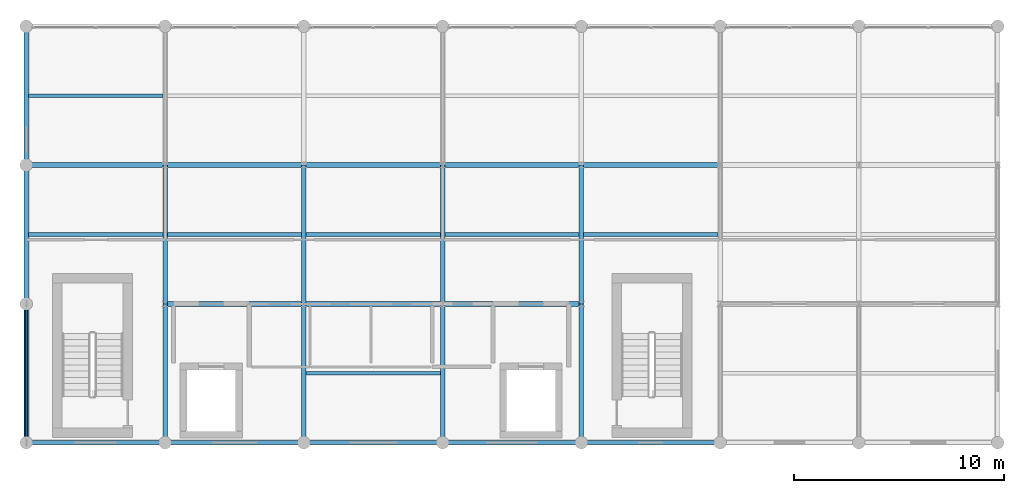
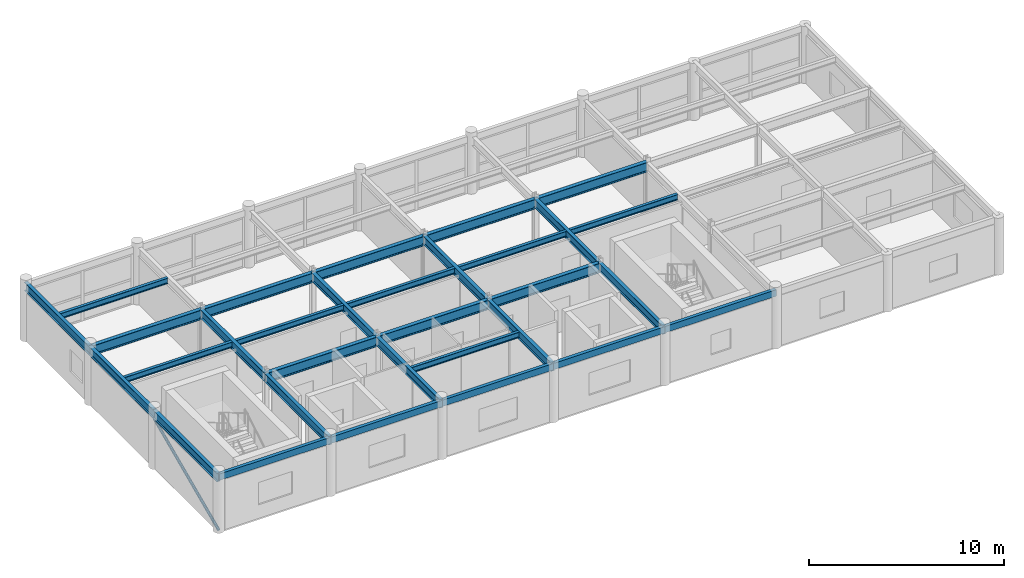
# One storey, part 3 of 17: 31 beams, 1 member.
"""IFC4 building model written with IfcOpenShell, lengths in metres."""

from ifc_helpers import new_model, si_unit, direction, frame, origin, origin_2d, place, context, subcontext, project, spatial, hollow_rectangle, hollow_circle, i_section, extrude, material, material_profile, profile_set, type_object, element, save


model = new_model("IFC4")

# Units and contexts
model_context = context("Model", 3, precision=1e-05, world=origin(), true_north=direction((0.0, 1.0)))
body_context = subcontext(model_context, "Body", "Model", "MODEL_VIEW")
ifc_project = project(units=[si_unit("LENGTHUNIT", "METRE"), si_unit("AREAUNIT", "SQUARE_METRE"), si_unit("VOLUMEUNIT", "CUBIC_METRE"), si_unit("PLANEANGLEUNIT", "RADIAN"), si_unit("MASSUNIT", "GRAM", prefix="KILO")], contexts=[model_context])

# Site, building, storey
site_placement = place(None, origin())
site = spatial("IfcSite", under=ifc_project, at=site_placement, CompositionType="ELEMENT")
building_placement = place(site_placement, origin())
building = spatial("IfcBuilding", under=site, at=building_placement, Name="Karori Crest Natural Sciences Institute", CompositionType="ELEMENT")
storey_placement = place(building_placement, frame((0.0, 0.0, 38.14990234375)))
storey = spatial("IfcBuildingStorey", under=building, at=storey_placement, Name="L09", CompositionType="ELEMENT", Elevation=38.14990234375)

# Beams
ifc_material_1 = material(Name="Structural steel AS/NZS 3679.1 Grade 350", Category="steel")
ifc_material_profile_1 = material_profile(ifc_material_1, i_section(OverallWidth=0.22900390625, OverallDepth=0.612060546875, WebThickness=0.011962890625, FlangeThickness=0.01953125, FilletRadius=0.013916015625, at=origin_2d()), Name="610UB125")
ifc_profile_set_1 = profile_set([ifc_material_profile_1], Name="Structural steel AS/NZS 3679.1 Grade 350")
beam_type_1 = type_object("IfcBeamType", Name="BT-04", PredefinedType="BEAM", material=ifc_profile_set_1)
beam_1_placement = place(storey_placement, frame((110.199951171875, 7.39990234375, 3.26416015625), z_axis=(1.0, 0.0, 0.0), x_axis=(0.0, 1.0, 0.0)))
element("IfcBeam", 1, at=beam_1_placement, inside=storey, type_object=beam_type_1, Name="Beam B-2769", PredefinedType="BEAM", context=body_context, shape_type="SweptSolid", body=[
    extrude(i_section(OverallWidth=0.22900390625, OverallDepth=0.612060546875, WebThickness=0.011962890625, FlangeThickness=0.01953125, FilletRadius=0.013916015625, at=origin_2d()), origin(), (0.0, 0.0, 1.0), 6.60009765625),
])
beam_2_placement = place(storey_placement, frame((116.800048828125, 7.39990234375, 3.26416015625), z_axis=(1.0, 0.0, 0.0), x_axis=(0.0, 1.0, 0.0)))
element("IfcBeam", 2, at=beam_2_placement, inside=storey, type_object=beam_type_1, Name="Beam B-2770", PredefinedType="BEAM", context=body_context, shape_type="SweptSolid", body=[
    extrude(i_section(OverallWidth=0.22900390625, OverallDepth=0.612060546875, WebThickness=0.011962890625, FlangeThickness=0.01953125, FilletRadius=0.013916015625, at=origin_2d()), origin(), (0.0, 0.0, 1.0), 6.599853515625),
])
beam_3_placement = place(storey_placement, frame((123.39990234375, 7.39990234375, 3.26416015625), z_axis=(1.0, 0.0, 0.0), x_axis=(0.0, 1.0, 0.0)))
element("IfcBeam", 3, at=beam_3_placement, inside=storey, type_object=beam_type_1, Name="Beam B-2771", PredefinedType="BEAM", context=body_context, shape_type="SweptSolid", body=[
    extrude(i_section(OverallWidth=0.22900390625, OverallDepth=0.612060546875, WebThickness=0.011962890625, FlangeThickness=0.01953125, FilletRadius=0.013916015625, at=origin_2d()), origin(), (0.0, 0.0, 1.0), 6.60009765625),
])
beam_4_placement = place(storey_placement, frame((103.60009765625, 14.0, 3.26416015625), z_axis=(1.0, 0.0, 0.0), x_axis=(0.0, 1.0, 0.0)))
element("IfcBeam", 4, at=beam_4_placement, inside=storey, type_object=beam_type_1, Name="Beam B-2774", PredefinedType="BEAM", context=body_context, shape_type="SweptSolid", body=[
    extrude(i_section(OverallWidth=0.22900390625, OverallDepth=0.612060546875, WebThickness=0.011962890625, FlangeThickness=0.01953125, FilletRadius=0.013916015625, at=origin_2d()), origin(), (0.0, 0.0, 1.0), 6.599853515625),
])
beam_5_placement = place(storey_placement, frame((110.199951171875, 14.0, 3.26416015625), z_axis=(1.0, 0.0, 0.0), x_axis=(0.0, 1.0, 0.0)))
element("IfcBeam", 5, at=beam_5_placement, inside=storey, type_object=beam_type_1, Name="Beam B-2775", PredefinedType="BEAM", context=body_context, shape_type="SweptSolid", body=[
    extrude(i_section(OverallWidth=0.22900390625, OverallDepth=0.612060546875, WebThickness=0.011962890625, FlangeThickness=0.01953125, FilletRadius=0.013916015625, at=origin_2d()), origin(), (0.0, 0.0, 1.0), 6.60009765625),
])
beam_6_placement = place(storey_placement, frame((116.800048828125, 14.0, 3.26416015625), z_axis=(1.0, 0.0, 0.0), x_axis=(0.0, 1.0, 0.0)))
element("IfcBeam", 6, at=beam_6_placement, inside=storey, type_object=beam_type_1, Name="Beam B-2776", PredefinedType="BEAM", context=body_context, shape_type="SweptSolid", body=[
    extrude(i_section(OverallWidth=0.22900390625, OverallDepth=0.612060546875, WebThickness=0.011962890625, FlangeThickness=0.01953125, FilletRadius=0.013916015625, at=origin_2d()), origin(), (0.0, 0.0, 1.0), 6.599853515625),
])
for number, where, z_axis, x_axis, name in (
    (7, (123.39990234375, 14.0, 3.26416015625), (1.0, 0.0, 0.0), (0.0, 1.0, 0.0), "Beam B-2777"),
    (8, (130.0, 14.0, 3.26416015625), (1.0, 0.0, 0.0), (0.0, 1.0, 0.0), "Beam B-2778"),
):
    element("IfcBeam", number, at=place(storey_placement, frame(where, z_axis=z_axis, x_axis=x_axis)), inside=storey, type_object=beam_type_1, Name=name, PredefinedType="BEAM", context=body_context, shape_type="SweptSolid", body=[
        extrude(i_section(OverallWidth=0.22900390625, OverallDepth=0.612060546875, WebThickness=0.011962890625, FlangeThickness=0.01953125, FilletRadius=0.013916015625, at=origin_2d()), origin(), (0.0, 0.0, 1.0), 6.60009765625),
    ])
ifc_material_profile_2 = material_profile(ifc_material_1, i_section(OverallWidth=0.208984375, OverallDepth=0.532958984375, WebThickness=0.01025390625, FlangeThickness=0.015625, FilletRadius=0.013916015625, at=origin_2d()), Name="530UB92.4")
ifc_profile_set_2 = profile_set([ifc_material_profile_2], Name="Structural steel AS/NZS 3679.1 Grade 350")
beam_type_2 = type_object("IfcBeamType", Name="BT-05", PredefinedType="BEAM", material=ifc_profile_set_2)
beam_7_placement = place(storey_placement, frame((110.199951171875, 0.800048828125, 3.3037109375), z_axis=(0.0, 1.0, 0.0), x_axis=(-1.0, 0.0, 0.0)))
element("IfcBeam", 9, at=beam_7_placement, inside=storey, type_object=beam_type_2, Name="Beam B-2791", PredefinedType="BEAM", context=body_context, shape_type="SweptSolid", body=[
    extrude(i_section(OverallWidth=0.208984375, OverallDepth=0.532958984375, WebThickness=0.01025390625, FlangeThickness=0.015625, FilletRadius=0.013916015625, at=origin_2d()), origin(), (0.0, 0.0, 1.0), 6.599853515625),
])
beam_8_placement = place(storey_placement, frame((110.199951171875, 7.39990234375, 3.3037109375), z_axis=(0.0, 1.0, 0.0), x_axis=(-1.0, 0.0, 0.0)))
element("IfcBeam", 10, at=beam_8_placement, inside=storey, type_object=beam_type_2, Name="Beam B-2792", PredefinedType="BEAM", context=body_context, shape_type="SweptSolid", body=[
    extrude(i_section(OverallWidth=0.208984375, OverallDepth=0.532958984375, WebThickness=0.01025390625, FlangeThickness=0.015625, FilletRadius=0.013916015625, at=origin_2d()), origin(), (0.0, 0.0, 1.0), 6.60009765625),
])
beam_9_placement = place(storey_placement, frame((116.800048828125, 0.800048828125, 3.3037109375), z_axis=(0.0, 1.0, 0.0), x_axis=(-1.0, 0.0, 0.0)))
element("IfcBeam", 11, at=beam_9_placement, inside=storey, type_object=beam_type_2, Name="Beam B-2794", PredefinedType="BEAM", context=body_context, shape_type="SweptSolid", body=[
    extrude(i_section(OverallWidth=0.208984375, OverallDepth=0.532958984375, WebThickness=0.01025390625, FlangeThickness=0.015625, FilletRadius=0.013916015625, at=origin_2d()), origin(), (0.0, 0.0, 1.0), 6.599853515625),
])
beam_10_placement = place(storey_placement, frame((116.800048828125, 7.39990234375, 3.3037109375), z_axis=(0.0, 1.0, 0.0), x_axis=(-1.0, 0.0, 0.0)))
element("IfcBeam", 12, at=beam_10_placement, inside=storey, type_object=beam_type_2, Name="Beam B-2795", PredefinedType="BEAM", context=body_context, shape_type="SweptSolid", body=[
    extrude(i_section(OverallWidth=0.208984375, OverallDepth=0.532958984375, WebThickness=0.01025390625, FlangeThickness=0.015625, FilletRadius=0.013916015625, at=origin_2d()), origin(), (0.0, 0.0, 1.0), 6.60009765625),
])
beam_11_placement = place(storey_placement, frame((123.39990234375, 0.800048828125, 3.3037109375), z_axis=(0.0, 1.0, 0.0), x_axis=(-1.0, 0.0, 0.0)))
element("IfcBeam", 13, at=beam_11_placement, inside=storey, type_object=beam_type_2, Name="Beam B-2797", PredefinedType="BEAM", context=body_context, shape_type="SweptSolid", body=[
    extrude(i_section(OverallWidth=0.208984375, OverallDepth=0.532958984375, WebThickness=0.01025390625, FlangeThickness=0.015625, FilletRadius=0.013916015625, at=origin_2d()), origin(), (0.0, 0.0, 1.0), 6.599853515625),
])
beam_12_placement = place(storey_placement, frame((123.39990234375, 7.39990234375, 3.3037109375), z_axis=(0.0, 1.0, 0.0), x_axis=(-1.0, 0.0, 0.0)))
element("IfcBeam", 14, at=beam_12_placement, inside=storey, type_object=beam_type_2, Name="Beam B-2798", PredefinedType="BEAM", context=body_context, shape_type="SweptSolid", body=[
    extrude(i_section(OverallWidth=0.208984375, OverallDepth=0.532958984375, WebThickness=0.01025390625, FlangeThickness=0.015625, FilletRadius=0.013916015625, at=origin_2d()), origin(), (0.0, 0.0, 1.0), 6.60009765625),
])
beam_13_placement = place(storey_placement, frame((130.0, 0.800048828125, 3.3037109375), z_axis=(0.0, 1.0, 0.0), x_axis=(-1.0, 0.0, 0.0)))
element("IfcBeam", 15, at=beam_13_placement, inside=storey, type_object=beam_type_2, Name="Beam B-2800", PredefinedType="BEAM", context=body_context, shape_type="SweptSolid", body=[
    extrude(i_section(OverallWidth=0.208984375, OverallDepth=0.532958984375, WebThickness=0.01025390625, FlangeThickness=0.015625, FilletRadius=0.013916015625, at=origin_2d()), origin(), (0.0, 0.0, 1.0), 6.599853515625),
])
beam_14_placement = place(storey_placement, frame((130.0, 7.39990234375, 3.3037109375), z_axis=(0.0, 1.0, 0.0), x_axis=(-1.0, 0.0, 0.0)))
element("IfcBeam", 16, at=beam_14_placement, inside=storey, type_object=beam_type_2, Name="Beam B-2801", PredefinedType="BEAM", context=body_context, shape_type="SweptSolid", body=[
    extrude(i_section(OverallWidth=0.208984375, OverallDepth=0.532958984375, WebThickness=0.01025390625, FlangeThickness=0.015625, FilletRadius=0.013916015625, at=origin_2d()), origin(), (0.0, 0.0, 1.0), 6.60009765625),
])
ifc_material_profile_3 = material_profile(ifc_material_1, i_section(OverallWidth=0.208984375, OverallDepth=0.532958984375, WebThickness=0.01025390625, FlangeThickness=0.015625, FilletRadius=0.013916015625, at=origin_2d()), Name="530UB92.4")
ifc_profile_set_3 = profile_set([ifc_material_profile_3], Name="Structural steel AS/NZS 3679.1 Grade 350")
beam_type_3 = type_object("IfcBeamType", Name="BT-05-EL", PredefinedType="BEAM", material=ifc_profile_set_3)
beam_15_placement = place(storey_placement, frame((103.60009765625, 0.800048828125, 3.3037109375), z_axis=(0.0, 1.0, 0.0), x_axis=(-1.0, 0.0, 0.0)))
element("IfcBeam", 17, at=beam_15_placement, inside=storey, type_object=beam_type_3, Name="Beam B-2788", PredefinedType="BEAM", context=body_context, shape_type="SweptSolid", body=[
    extrude(i_section(OverallWidth=0.208984375, OverallDepth=0.532958984375, WebThickness=0.01025390625, FlangeThickness=0.015625, FilletRadius=0.013916015625, at=origin_2d()), origin(), (0.0, 0.0, 1.0), 6.599853515625),
])
for number, where, z_axis, x_axis, name in (
    (18, (103.60009765625, 7.39990234375, 3.3037109375), (0.0, 1.0, 0.0), (-1.0, 0.0, 0.0), "Beam B-2789"),
    (19, (103.60009765625, 14.0, 3.3037109375), (0.0, 1.0, 0.0), (-1.0, 0.0, 0.0), "Beam B-2790"),
):
    element("IfcBeam", number, at=place(storey_placement, frame(where, z_axis=z_axis, x_axis=x_axis)), inside=storey, type_object=beam_type_3, Name=name, PredefinedType="BEAM", context=body_context, shape_type="SweptSolid", body=[
        extrude(i_section(OverallWidth=0.208984375, OverallDepth=0.532958984375, WebThickness=0.01025390625, FlangeThickness=0.015625, FilletRadius=0.013916015625, at=origin_2d()), origin(), (0.0, 0.0, 1.0), 6.60009765625),
    ])
ifc_material_profile_4 = material_profile(ifc_material_1, i_section(OverallWidth=0.172119140625, OverallDepth=0.35888671875, WebThickness=0.008056640625, FlangeThickness=0.012939453125, FilletRadius=0.010986328125, at=origin_2d()), Name="360UB56.7")
ifc_profile_set_4 = profile_set([ifc_material_profile_4], Name="Structural steel AS/NZS 3679.1 Grade 350")
beam_type_4 = type_object("IfcBeamType", Name="BT-08", PredefinedType="BEAM", material=ifc_profile_set_4)
for number, where, z_axis, x_axis, name in (
    (20, (103.70458984375, 10.699951171875, 3.390625), (1.0, 0.0, 0.0), (0.0, 1.0, 0.0), "Beam B-2812"),
    (21, (103.70458984375, 17.300048828125, 3.390625), (1.0, 0.0, 0.0), (0.0, 1.0, 0.0), "Beam B-2813"),
):
    element("IfcBeam", number, at=place(storey_placement, frame(where, z_axis=z_axis, x_axis=x_axis)), inside=storey, type_object=beam_type_4, Name=name, PredefinedType="BEAM", context=body_context, shape_type="SweptSolid", body=[
        extrude(i_section(OverallWidth=0.172119140625, OverallDepth=0.35888671875, WebThickness=0.008056640625, FlangeThickness=0.012939453125, FilletRadius=0.010986328125, at=origin_2d()), origin(), (0.0, 0.0, 1.0), 6.390869140625),
    ])
beam_16_placement = place(storey_placement, frame((110.304443359375, 10.699951171875, 3.390625), z_axis=(1.0, 0.0, 0.0), x_axis=(0.0, 1.0, 0.0)))
element("IfcBeam", 22, at=beam_16_placement, inside=storey, type_object=beam_type_4, Name="Beam B-2814", PredefinedType="BEAM", context=body_context, shape_type="SweptSolid", body=[
    extrude(i_section(OverallWidth=0.172119140625, OverallDepth=0.35888671875, WebThickness=0.008056640625, FlangeThickness=0.012939453125, FilletRadius=0.010986328125, at=origin_2d()), origin(), (0.0, 0.0, 1.0), 6.39111328125),
])
for number, where, z_axis, x_axis, name in (
    (23, (116.904541015625, 4.10009765625, 3.390625), (1.0, 0.0, 0.0), (0.0, 1.0, 0.0), "Beam B-2816"),
    (24, (116.904541015625, 10.699951171875, 3.390625), (1.0, 0.0, 0.0), (0.0, 1.0, 0.0), "Beam B-2817"),
):
    element("IfcBeam", number, at=place(storey_placement, frame(where, z_axis=z_axis, x_axis=x_axis)), inside=storey, type_object=beam_type_4, Name=name, PredefinedType="BEAM", context=body_context, shape_type="SweptSolid", body=[
        extrude(i_section(OverallWidth=0.172119140625, OverallDepth=0.35888671875, WebThickness=0.008056640625, FlangeThickness=0.012939453125, FilletRadius=0.010986328125, at=origin_2d()), origin(), (0.0, 0.0, 1.0), 6.390869140625),
    ])
for number, where, z_axis, x_axis, name in (
    (25, (123.50439453125, 10.699951171875, 3.390625), (1.0, 0.0, 0.0), (0.0, 1.0, 0.0), "Beam B-2819"),
    (26, (130.1044921875, 10.699951171875, 3.390625), (1.0, 0.0, 0.0), (0.0, 1.0, 0.0), "Beam B-2821"),
):
    element("IfcBeam", number, at=place(storey_placement, frame(where, z_axis=z_axis, x_axis=x_axis)), inside=storey, type_object=beam_type_4, Name=name, PredefinedType="BEAM", context=body_context, shape_type="SweptSolid", body=[
        extrude(i_section(OverallWidth=0.172119140625, OverallDepth=0.35888671875, WebThickness=0.008056640625, FlangeThickness=0.012939453125, FilletRadius=0.010986328125, at=origin_2d()), origin(), (0.0, 0.0, 1.0), 6.39111328125),
    ])
ifc_material_2 = material(Name="Hollow structural steel AS/NZS 1163 Grade C350", Category="steel")
ifc_material_profile_5 = material_profile(ifc_material_2, hollow_rectangle(XDim=0.199951171875, YDim=0.39990234375, WallThickness=0.012451171875, at=origin_2d()), Name="RHS400x200x12.5")
ifc_profile_set_5 = profile_set([ifc_material_profile_5], Name="Hollow structural steel AS/NZS 1163 Grade C350")
beam_type_5 = type_object("IfcBeamType", Name="BT-14", PredefinedType="SPANDREL", material=ifc_profile_set_5)
beam_17_placement = place(storey_placement, frame((103.60009765625, 0.800048828125, 3.3701171875), z_axis=(1.0, 0.0, 0.0), x_axis=(0.0, 1.0, 0.0)))
element("IfcBeam", 27, at=beam_17_placement, inside=storey, type_object=beam_type_5, Name="Beam B-2762", PredefinedType="SPANDREL", context=body_context, shape_type="SweptSolid", body=[
    extrude(hollow_rectangle(XDim=0.199951171875, YDim=0.39990234375, WallThickness=0.012451171875, at=origin_2d()), origin(), (0.0, 0.0, 1.0), 6.599853515625),
])
beam_18_placement = place(storey_placement, frame((110.199951171875, 0.800048828125, 3.3701171875), z_axis=(1.0, 0.0, 0.0), x_axis=(0.0, 1.0, 0.0)))
element("IfcBeam", 28, at=beam_18_placement, inside=storey, type_object=beam_type_5, Name="Beam B-2763", PredefinedType="SPANDREL", context=body_context, shape_type="SweptSolid", body=[
    extrude(hollow_rectangle(XDim=0.199951171875, YDim=0.39990234375, WallThickness=0.012451171875, at=origin_2d()), origin(), (0.0, 0.0, 1.0), 6.60009765625),
])
beam_19_placement = place(storey_placement, frame((116.800048828125, 0.800048828125, 3.3701171875), z_axis=(1.0, 0.0, 0.0), x_axis=(0.0, 1.0, 0.0)))
element("IfcBeam", 29, at=beam_19_placement, inside=storey, type_object=beam_type_5, Name="Beam B-2764", PredefinedType="SPANDREL", context=body_context, shape_type="SweptSolid", body=[
    extrude(hollow_rectangle(XDim=0.199951171875, YDim=0.39990234375, WallThickness=0.012451171875, at=origin_2d()), origin(), (0.0, 0.0, 1.0), 6.599853515625),
])
for number, where, z_axis, x_axis, name in (
    (30, (123.39990234375, 0.800048828125, 3.3701171875), (1.0, 0.0, 0.0), (0.0, 1.0, 0.0), "Beam B-2765"),
    (31, (130.0, 0.800048828125, 3.3701171875), (1.0, 0.0, 0.0), (0.0, 1.0, 0.0), "Beam B-2766"),
):
    element("IfcBeam", number, at=place(storey_placement, frame(where, z_axis=z_axis, x_axis=x_axis)), inside=storey, type_object=beam_type_5, Name=name, PredefinedType="SPANDREL", context=body_context, shape_type="SweptSolid", body=[
        extrude(hollow_rectangle(XDim=0.199951171875, YDim=0.39990234375, WallThickness=0.012451171875, at=origin_2d()), origin(), (0.0, 0.0, 1.0), 6.60009765625),
    ])

# Member
ifc_material_profile_6 = material_profile(ifc_material_2, hollow_circle(Radius=0.084228515625, WallThickness=0.007080078125, at=origin_2d()), Name="CHS168.3x7.1")
ifc_profile_set_6 = profile_set([ifc_material_profile_6], Name="Hollow structural steel AS/NZS 1163 Grade C350")
member_type = type_object("IfcMemberType", Name="MT-03", PredefinedType="BRACE", material=ifc_profile_set_6)
member_placement = place(storey_placement, frame((103.60009765625, 0.800048828125, 0.010009765625), z_axis=(0.0, 0.912537564106, 0.408992902257), x_axis=(-1.0, 0.0, 0.0)))
element("IfcMember", 32, at=member_placement, inside=storey, type_object=member_type, Name="Diagonal Brace M-0457", PredefinedType="BRACE", context=body_context, shape_type="SweptSolid", body=[
    extrude(hollow_circle(Radius=0.084228515625, WallThickness=0.007080078125, at=origin_2d()), origin(), (0.0, 0.0, 1.0), 7.232421875),
])

save(model, "model.ifc")
